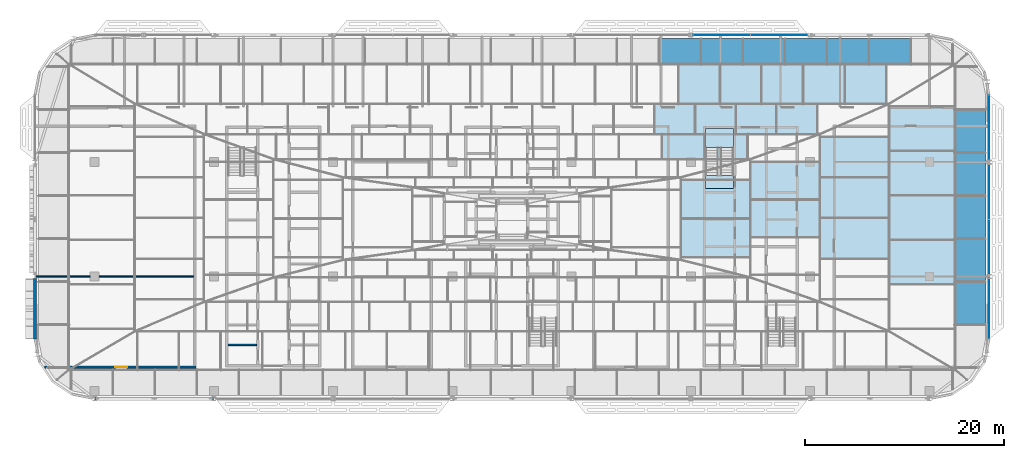
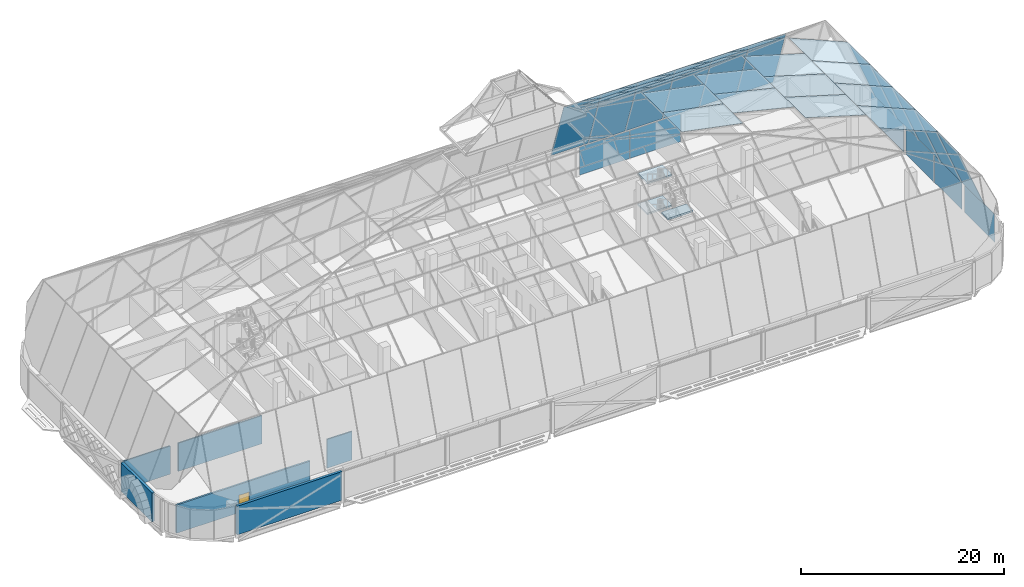
# One storey, part 23 of 39: 39 plates, 6 walls, 3 slabs, 1 door, 1 opening, 14 elements without a shape of their own.
"""IFC4 building model written with IfcOpenShell, lengths in metres."""

from ifc_helpers import new_model, si_unit, direction, frame, frame_2d, origin, origin_2d, place, context, subcontext, project, spatial, polyline, rectangle, outline, extrude, material, layer, layer_set, type_object, element, fill, aggregate, save


model = new_model("IFC4")

# Units and contexts
model_context = context("Model", 3, precision=1e-05, world=origin(), true_north=direction((0.0, 1.0)))
body_context = subcontext(model_context, "Body", "Model", "MODEL_VIEW")
ifc_project = project(units=[si_unit("LENGTHUNIT", "METRE"), si_unit("AREAUNIT", "SQUARE_METRE"), si_unit("VOLUMEUNIT", "CUBIC_METRE"), si_unit("PLANEANGLEUNIT", "RADIAN"), si_unit("MASSUNIT", "GRAM", prefix="KILO")], contexts=[model_context])

# Site, building, storey
site_placement = place(None, origin())
site = spatial("IfcSite", under=ifc_project, at=site_placement, CompositionType="ELEMENT")
building_placement = place(site_placement, origin())
building = spatial("IfcBuilding", under=site, at=building_placement, Name="Mahtab Terrace Research Tower", CompositionType="ELEMENT")
storey_placement = place(building_placement, frame((0.0, 0.0, 282.300048828125)))
storey = spatial("IfcBuildingStorey", under=building, at=storey_placement, Name="L69", CompositionType="ELEMENT", Elevation=282.300048828125)

# Curtain wall, plates
ifc_material_1 = material(Name="Crown faceted glass roof")
curtain_wall_type_1 = type_object("IfcCurtainWallType", Name="Crown faceted glass roof", PredefinedType="NOTDEFINED", material=ifc_material_1)
curtain_wall_1_placement = place(storey_placement, origin())
curtain_wall_1 = element("IfcCurtainWall", 1, at=curtain_wall_1_placement, inside=storey, type_object=curtain_wall_type_1, Name="CROWN.E0", PredefinedType="NOTDEFINED")
ifc_material_2 = material(Name="Dark glazing", Category="glass")
ifc_layer_1 = layer(ifc_material_2, 0.030029296875)
ifc_layer_set_1 = layer_set([ifc_layer_1], Name="Crown faceted glass roof glazing panel")
plate_type_1 = type_object("IfcPlateType", Name="Crown faceted glass roof glazing panel", PredefinedType="CURTAIN_PANEL", material=ifc_layer_set_1)
plate_1_placement = place(storey_placement, frame((47.64990234375, -4.851318359375, 3.800048828125), z_axis=(0.926652359247, 0.0, 0.375919413042), x_axis=(0.0, 1.0, 0.0)))
plate_1 = element("IfcPlate", 2, at=plate_1_placement, type_object=plate_type_1, Name="CWC-E1 panel 3", PredefinedType="CURTAIN_PANEL", context=body_context, shape_type="SweptSolid", body=[
    extrude(outline(polyline([(0.0, 0.0), (4.326416015625, 0.0), (4.326416015625, 7.985629421763448), (0.0, 7.985629421763448), (0.0, 0.0)])), origin(), (0.0, 0.0, -1.0), 0.030029296875),
])
plate_2_placement = place(storey_placement, frame((47.64990234375, -0.52490234375, 3.800048828125), z_axis=(0.926652359247, 0.0, 0.375919413042), x_axis=(0.0, 1.0, 0.0)))
plate_2 = element("IfcPlate", 3, at=plate_2_placement, type_object=plate_type_1, Name="CWC-E1 panel 4", PredefinedType="CURTAIN_PANEL", context=body_context, shape_type="SweptSolid", body=[
    extrude(outline(polyline([(0.0, 0.0), (4.32666015625, 0.0), (4.32666015625, 7.985629421763448), (0.0, 7.985629421763448), (0.0, 0.0)])), origin(), (0.0, 0.0, -1.0), 0.030029296875),
])
plate_3_placement = place(storey_placement, frame((47.64990234375, 3.8017578125, 3.800048828125), z_axis=(0.926652359247, 0.0, 0.375919413042), x_axis=(0.0, 1.0, 0.0)))
plate_3 = element("IfcPlate", 4, at=plate_3_placement, type_object=plate_type_1, Name="CWC-E1 panel 5", PredefinedType="CURTAIN_PANEL", context=body_context, shape_type="SweptSolid", body=[
    extrude(outline(polyline([(0.0, 0.0), (4.32666015625, 0.0), (4.32666015625, 7.985629421763448), (0.0, 7.985629421763448), (0.0, 0.0)])), origin(), (0.0, 0.0, -1.0), 0.030029296875),
])
plate_4_placement = place(storey_placement, frame((47.64990234375, 8.12841796875, 3.800048828125), z_axis=(0.926652359247, 0.0, 0.375919413042), x_axis=(0.0, 1.0, 0.0)))
plate_4 = element("IfcPlate", 5, at=plate_4_placement, type_object=plate_type_1, Name="CWC-E1 panel 6", PredefinedType="CURTAIN_PANEL", context=body_context, shape_type="SweptSolid", body=[
    extrude(outline(polyline([(0.0, 0.0), (4.326416015625, 0.0), (4.326416015625, 7.985629421763448), (0.0, 7.985629421763448), (0.0, 0.0)])), origin(), (0.0, 0.0, -1.0), 0.030029296875),
])
plate_5_placement = place(storey_placement, frame((47.64990234375, 12.454833984375, 3.800048828125), z_axis=(0.926652359247, 0.0, 0.375919413042), x_axis=(0.0, 1.0, 0.0)))
plate_5 = element("IfcPlate", 6, at=plate_5_placement, type_object=plate_type_1, Name="CWC-E1 panel 7", PredefinedType="CURTAIN_PANEL", context=body_context, shape_type="SweptSolid", body=[
    extrude(outline(polyline([(0.0, 0.0), (4.32666015625, 0.0), (4.32666015625, 7.985629421763448), (0.0, 7.985629421763448), (0.0, 0.0)])), origin(), (0.0, 0.0, -1.0), 0.030029296875),
])
aggregate(curtain_wall_1, [plate_1, plate_2, plate_3, plate_4, plate_5])

curtain_wall_2_placement = place(storey_placement, origin())
curtain_wall_2 = element("IfcCurtainWall", 7, at=curtain_wall_2_placement, inside=storey, type_object=curtain_wall_type_1, Name="CROWN.E1", PredefinedType="NOTDEFINED")
plate_6_placement = place(storey_placement, frame((44.64794921875, -0.794921875, 11.199951171875), z_axis=(0.387029381179, 0.0, 0.922067382627), x_axis=(0.0, 1.0, 0.0)))
plate_6 = element("IfcPlate", 8, at=plate_6_placement, type_object=plate_type_1, Name="CWC-E2 panel 3", PredefinedType="CURTAIN_PANEL", context=body_context, shape_type="SweptSolid", body=[
    extrude(outline(polyline([(0.0, 0.0), (4.4697265625, 0.0), (4.4697265625, 7.234719027254903), (0.0, 7.234719027254903), (0.0, 0.0)])), origin(), (0.0, 0.0, -1.0), 0.030029296875),
])
plate_7_placement = place(storey_placement, frame((44.64794921875, 3.6748046875, 11.199951171875), z_axis=(0.387029381179, 0.0, 0.922067382627), x_axis=(0.0, 1.0, 0.0)))
plate_7 = element("IfcPlate", 9, at=plate_7_placement, type_object=plate_type_1, Name="CWC-E2 panel 4", PredefinedType="CURTAIN_PANEL", context=body_context, shape_type="SweptSolid", body=[
    extrude(outline(polyline([(0.0, 0.0), (4.469970703125, 0.0), (4.469970703125, 7.2347190272549025), (0.0, 7.2347190272549025), (0.0, 0.0)])), origin(), (0.0, 0.0, -1.0), 0.030029296875),
])
plate_8_placement = place(storey_placement, frame((44.64794921875, 8.144775390625, 11.199951171875), z_axis=(0.387029381179, 0.0, 0.922067382627), x_axis=(0.0, 1.0, 0.0)))
plate_8 = element("IfcPlate", 10, at=plate_8_placement, type_object=plate_type_1, Name="CWC-E2 panel 5", PredefinedType="CURTAIN_PANEL", context=body_context, shape_type="SweptSolid", body=[
    extrude(outline(polyline([(0.0, 0.0), (4.4697265625, 0.0), (4.4697265625, 7.234719027254903), (0.0, 7.234719027254903), (0.0, 0.0)])), origin(), (0.0, 0.0, -1.0), 0.030029296875),
])
plate_9_placement = place(storey_placement, frame((44.64794921875, 12.614501953125, 11.199951171875), z_axis=(0.387029381179, 0.0, 0.922067382627), x_axis=(0.0, 1.0, 0.0)))
plate_9 = element("IfcPlate", 11, at=plate_9_placement, type_object=plate_type_1, Name="CWC-E2 panel 6", PredefinedType="CURTAIN_PANEL", context=body_context, shape_type="SweptSolid", body=[
    extrude(outline(polyline([(0.0, 0.0), (4.4697265625, 0.0), (4.4697265625, 7.234719027254903), (0.0, 7.234719027254903), (0.0, 0.0)])), origin(), (0.0, 0.0, -1.0), 0.030029296875),
])
aggregate(curtain_wall_2, [plate_6, plate_7, plate_8, plate_9])

curtain_wall_3_placement = place(storey_placement, origin())
curtain_wall_3 = element("IfcCurtainWall", 12, at=curtain_wall_3_placement, inside=storey, type_object=curtain_wall_type_1, Name="CROWN.E2", PredefinedType="NOTDEFINED")
plate_10_placement = place(storey_placement, frame((37.97705078125, 1.780029296875, 14.0), z_axis=(0.288965667694, 0.0, 0.957339460638), x_axis=(0.0, 1.0, 0.0)))
plate_10 = element("IfcPlate", 13, at=plate_10_placement, type_object=plate_type_1, Name="CWC-E3 panel 3", PredefinedType="CURTAIN_PANEL", context=body_context, shape_type="SweptSolid", body=[
    extrude(outline(polyline([(0.0, 0.0), (4.087890625, 0.0), (4.087890625, 7.266792392262823), (0.0, 7.266792392262823), (0.0, 0.0)])), origin(), (0.0, 0.0, -1.0), 0.030029296875),
])
plate_11_placement = place(storey_placement, frame((37.97705078125, 5.867919921875, 14.0), z_axis=(0.288965667694, 0.0, 0.957339460638), x_axis=(0.0, 1.0, 0.0)))
plate_11 = element("IfcPlate", 14, at=plate_11_placement, type_object=plate_type_1, Name="CWC-E3 panel 4", PredefinedType="CURTAIN_PANEL", context=body_context, shape_type="SweptSolid", body=[
    extrude(outline(polyline([(0.0, 0.0), (4.087890625, 0.0), (4.087890625, 7.266792392262823), (0.0, 7.266792392262823), (0.0, 0.0)])), origin(), (0.0, 0.0, -1.0), 0.030029296875),
])
plate_12_placement = place(storey_placement, frame((37.97705078125, 9.955810546875, 14.0), z_axis=(0.288965667694, 0.0, 0.957339460638), x_axis=(0.0, 1.0, 0.0)))
plate_12 = element("IfcPlate", 15, at=plate_12_placement, type_object=plate_type_1, Name="CWC-E3 panel 5", PredefinedType="CURTAIN_PANEL", context=body_context, shape_type="SweptSolid", body=[
    extrude(outline(polyline([(0.0, 0.0), (4.087890625, 0.0), (4.087890625, 7.266792392262823), (0.0, 7.266792392262823), (0.0, 0.0)])), origin(), (0.0, 0.0, -1.0), 0.030029296875),
])
aggregate(curtain_wall_3, [plate_10, plate_11, plate_12])

curtain_wall_4_placement = place(storey_placement, origin())
curtain_wall_4 = element("IfcCurtainWall", 16, at=curtain_wall_4_placement, inside=storey, type_object=curtain_wall_type_1, Name="CROWN.E3", PredefinedType="NOTDEFINED")
plate_13_placement = place(storey_placement, frame((31.020263671875, 3.93994140625, 16.099853515625), z_axis=(0.235875329175, 0.0, 0.971783324145), x_axis=(0.0, 1.0, 0.0)))
plate_13 = element("IfcPlate", 17, at=plate_13_placement, type_object=plate_type_1, Name="CWC-E4 panel 3", PredefinedType="CURTAIN_PANEL", context=body_context, shape_type="SweptSolid", body=[
    extrude(outline(polyline([(0.0, 0.0), (3.78662109375, 0.0), (3.78662109375, 7.208025181988041), (0.0, 7.208025181988041), (0.0, 0.0)])), origin(), (0.0, 0.0, -1.0), 0.030029296875),
])
plate_14_placement = place(storey_placement, frame((31.020263671875, 7.7265625, 16.099853515625), z_axis=(0.235875329175, 0.0, 0.971783324145), x_axis=(0.0, 1.0, 0.0)))
plate_14 = element("IfcPlate", 18, at=plate_14_placement, type_object=plate_type_1, Name="CWC-E4 panel 4", PredefinedType="CURTAIN_PANEL", context=body_context, shape_type="SweptSolid", body=[
    extrude(outline(polyline([(0.0, 0.0), (3.786376953125, 0.0), (3.786376953125, 7.208025181988041), (0.0, 7.208025181988041), (0.0, 0.0)])), origin(), (0.0, 0.0, -1.0), 0.030029296875),
])
aggregate(curtain_wall_4, [plate_13, plate_14])

curtain_wall_5_placement = place(storey_placement, origin())
curtain_wall_5 = element("IfcCurtainWall", 19, at=curtain_wall_5_placement, inside=storey, type_object=curtain_wall_type_1, Name="CROWN.E4", PredefinedType="NOTDEFINED")
plate_15_placement = place(storey_placement, frame((24.015625, 1.92431640625, 17.800048828125), z_axis=(0.195978105633, 0.0, 0.980608271489), x_axis=(0.0, 1.0, 0.0)))
plate_15 = element("IfcPlate", 20, at=plate_15_placement, type_object=plate_type_1, Name="CWC-E5 panel 2", PredefinedType="CURTAIN_PANEL", context=body_context, shape_type="SweptSolid", body=[
    extrude(outline(polyline([(0.0, 0.0), (3.884033203125, 0.0), (3.884033203125, 7.143156829831157), (0.0, 7.143156829831157), (0.0, 0.0)])), origin(), (0.0, 0.0, -1.0), 0.030029296875),
])
plate_16_placement = place(storey_placement, frame((24.015625, 5.808349609375, 17.800048828125), z_axis=(0.195978105633, 0.0, 0.980608271489), x_axis=(0.0, 1.0, 0.0)))
plate_16 = element("IfcPlate", 21, at=plate_16_placement, type_object=plate_type_1, Name="CWC-E5 panel 3", PredefinedType="CURTAIN_PANEL", context=body_context, shape_type="SweptSolid", body=[
    extrude(outline(polyline([(0.0, 0.0), (3.8837890625, 0.0), (3.8837890625, 7.143156829831158), (0.0, 7.143156829831158), (0.0, 0.0)])), origin(), (0.0, 0.0, -1.0), 0.030029296875),
])
aggregate(curtain_wall_5, [plate_15, plate_16])

curtain_wall_6_placement = place(storey_placement, origin())
curtain_wall_6 = element("IfcCurtainWall", 22, at=curtain_wall_6_placement, inside=storey, type_object=curtain_wall_type_1, Name="CROWN.N0", PredefinedType="NOTDEFINED")
plate_17_placement = place(storey_placement, frame((19.00634765625, 21.407958984375, 11.199951171875), z_axis=(0.0, 0.945476028817, 0.325691693067), x_axis=(0.0, 0.325691693067, -0.945476028817)))
plate_17 = element("IfcPlate", 23, at=plate_17_placement, type_object=plate_type_1, Name="CWC-N1 panel 16", PredefinedType="CURTAIN_PANEL", context=body_context, shape_type="SweptSolid", body=[
    extrude(outline(polyline([(0.0, 0.0), (7.826641943542283, 0.0), (7.826641943542283, 4.2236328125), (0.0, 4.2236328125), (0.0, 0.0)])), origin(), (0.0, 0.0, -1.0), 0.030029296875),
])
plate_18_placement = place(storey_placement, frame((23.22998046875, 21.407958984375, 11.199951171875), z_axis=(0.0, 0.945476028817, 0.325691693067), x_axis=(0.0, 0.325691693067, -0.945476028817)))
plate_18 = element("IfcPlate", 24, at=plate_18_placement, type_object=plate_type_1, Name="CWC-N1 panel 17", PredefinedType="CURTAIN_PANEL", context=body_context, shape_type="SweptSolid", body=[
    extrude(outline(polyline([(0.0, 0.0), (7.826641943542283, 0.0), (7.826641943542283, 4.2236328125), (0.0, 4.2236328125), (0.0, 0.0)])), origin(), (0.0, 0.0, -1.0), 0.030029296875),
])
plate_19_placement = place(storey_placement, frame((27.45361328125, 21.407958984375, 11.199951171875), z_axis=(0.0, 0.945476028817, 0.325691693067), x_axis=(0.0, 0.325691693067, -0.945476028817)))
plate_19 = element("IfcPlate", 25, at=plate_19_placement, type_object=plate_type_1, Name="CWC-N1 panel 18", PredefinedType="CURTAIN_PANEL", context=body_context, shape_type="SweptSolid", body=[
    extrude(outline(polyline([(0.0, 0.0), (7.826641943542283, 0.0), (7.826641943542283, 4.2236328125), (0.0, 4.2236328125), (0.0, 0.0)])), origin(), (0.0, 0.0, -1.0), 0.030029296875),
])
plate_20_placement = place(storey_placement, frame((31.67724609375, 21.407958984375, 11.199951171875), z_axis=(0.0, 0.945476028817, 0.325691693067), x_axis=(0.0, 0.325691693067, -0.945476028817)))
plate_20 = element("IfcPlate", 26, at=plate_20_placement, type_object=plate_type_1, Name="CWC-N1 panel 19", PredefinedType="CURTAIN_PANEL", context=body_context, shape_type="SweptSolid", body=[
    extrude(outline(polyline([(0.0, 0.0), (7.826641943542283, 0.0), (7.826641943542283, 4.2236328125), (0.0, 4.2236328125), (0.0, 0.0)])), origin(), (0.0, 0.0, -1.0), 0.030029296875),
])
plate_21_placement = place(storey_placement, frame((35.90087890625, 21.407958984375, 11.199951171875), z_axis=(0.0, 0.945476028817, 0.325691693067), x_axis=(0.0, 0.325691693067, -0.945476028817)))
plate_21 = element("IfcPlate", 27, at=plate_21_placement, type_object=plate_type_1, Name="CWC-N1 panel 20", PredefinedType="CURTAIN_PANEL", context=body_context, shape_type="SweptSolid", body=[
    extrude(outline(polyline([(0.0, 0.0), (7.826641943542283, 0.0), (7.826641943542283, 4.2236328125), (0.0, 4.2236328125), (0.0, 0.0)])), origin(), (0.0, 0.0, -1.0), 0.030029296875),
])
plate_22_placement = place(storey_placement, frame((40.12451171875, 21.407958984375, 11.199951171875), z_axis=(0.0, 0.945476028817, 0.325691693067), x_axis=(0.0, 0.325691693067, -0.945476028817)))
plate_22 = element("IfcPlate", 28, at=plate_22_placement, type_object=plate_type_1, Name="CWC-N1 panel 21", PredefinedType="CURTAIN_PANEL", context=body_context, shape_type="SweptSolid", body=[
    extrude(outline(polyline([(0.0, 0.0), (7.826641943542283, 0.0), (7.826641943542283, 4.2236328125), (0.0, 4.2236328125), (0.0, 0.0)])), origin(), (0.0, 0.0, -1.0), 0.030029296875),
])
aggregate(curtain_wall_6, [plate_17, plate_18, plate_19, plate_20, plate_21, plate_22])

curtain_wall_7_placement = place(storey_placement, origin())
curtain_wall_7 = element("IfcCurtainWall", 29, at=curtain_wall_7_placement, inside=storey, type_object=curtain_wall_type_1, Name="CROWN.N1", PredefinedType="NOTDEFINED")
plate_23_placement = place(storey_placement, frame((20.931640625, 17.38427734375, 14.0), z_axis=(0.0, 0.571197269128, 0.820812816506), x_axis=(0.0, 0.820812816506, -0.571197269128)))
plate_23 = element("IfcPlate", 30, at=plate_23_placement, type_object=plate_type_1, Name="CWC-N2 panel 15", PredefinedType="CURTAIN_PANEL", context=body_context, shape_type="SweptSolid", body=[
    extrude(outline(polyline([(0.0, 0.0), (4.902069704215443, 0.0), (4.902069704215443, 4.186279296875001), (0.0, 4.186279296875001), (0.0, 0.0)])), origin(), (0.0, 0.0, -1.0), 0.030029296875),
])
plate_24_placement = place(storey_placement, frame((25.117919921875, 17.38427734375, 14.0), z_axis=(0.0, 0.571197269128, 0.820812816506), x_axis=(0.0, 0.820812816506, -0.571197269128)))
plate_24 = element("IfcPlate", 31, at=plate_24_placement, type_object=plate_type_1, Name="CWC-N2 panel 16", PredefinedType="CURTAIN_PANEL", context=body_context, shape_type="SweptSolid", body=[
    extrude(outline(polyline([(0.0, 0.0), (4.902069704215443, 0.0), (4.902069704215443, 4.186279296875001), (0.0, 4.186279296875001), (0.0, 0.0)])), origin(), (0.0, 0.0, -1.0), 0.030029296875),
])
plate_25_placement = place(storey_placement, frame((29.304443359375, 17.38427734375, 14.0), z_axis=(0.0, 0.571197269128, 0.820812816506), x_axis=(0.0, 0.820812816506, -0.571197269128)))
plate_25 = element("IfcPlate", 32, at=plate_25_placement, type_object=plate_type_1, Name="CWC-N2 panel 17", PredefinedType="CURTAIN_PANEL", context=body_context, shape_type="SweptSolid", body=[
    extrude(outline(polyline([(0.0, 0.0), (4.902069704215443, 0.0), (4.902069704215443, 4.186523437500001), (0.0, 4.186523437500001), (0.0, 0.0)])), origin(), (0.0, 0.0, -1.0), 0.030029296875),
])
plate_26_placement = place(storey_placement, frame((33.49072265625, 17.38427734375, 14.0), z_axis=(0.0, 0.571197269128, 0.820812816506), x_axis=(0.0, 0.820812816506, -0.571197269128)))
plate_26 = element("IfcPlate", 33, at=plate_26_placement, type_object=plate_type_1, Name="CWC-N2 panel 18", PredefinedType="CURTAIN_PANEL", context=body_context, shape_type="SweptSolid", body=[
    extrude(outline(polyline([(0.0, 0.0), (4.902069704215443, 0.0), (4.902069704215443, 4.186279296875001), (0.0, 4.186279296875001), (0.0, 0.0)])), origin(), (0.0, 0.0, -1.0), 0.030029296875),
])
plate_27_placement = place(storey_placement, frame((37.677001953125, 17.38427734375, 14.0), z_axis=(0.0, 0.571197269128, 0.820812816506), x_axis=(0.0, 0.820812816506, -0.571197269128)))
plate_27 = element("IfcPlate", 34, at=plate_27_placement, type_object=plate_type_1, Name="CWC-N2 panel 19", PredefinedType="CURTAIN_PANEL", context=body_context, shape_type="SweptSolid", body=[
    extrude(outline(polyline([(0.0, 0.0), (4.902069704215443, 0.0), (4.902069704215443, 4.186279296875001), (0.0, 4.186279296875001), (0.0, 0.0)])), origin(), (0.0, 0.0, -1.0), 0.030029296875),
])
aggregate(curtain_wall_7, [plate_23, plate_24, plate_25, plate_26, plate_27])

curtain_wall_8_placement = place(storey_placement, origin())
curtain_wall_8 = element("IfcCurtainWall", 35, at=curtain_wall_8_placement, inside=storey, type_object=curtain_wall_type_1, Name="CROWN.N2", PredefinedType="NOTDEFINED")
plate_28_placement = place(storey_placement, frame((18.43212890625, 14.34375, 16.099853515625), z_axis=(0.0, 0.568271672789, 0.822840996734), x_axis=(0.0, 0.822840996734, -0.568271672789)))
plate_28 = element("IfcPlate", 36, at=plate_28_placement, type_object=plate_type_1, Name="CWC-N3 panel 13", PredefinedType="CURTAIN_PANEL", context=body_context, shape_type="SweptSolid", body=[
    extrude(outline(polyline([(0.0, 0.0), (3.695157820063184, 0.0), (3.695157820063184, 4.095947265625), (0.0, 4.095947265625), (0.0, 0.0)])), origin(), (0.0, 0.0, -1.0), 0.030029296875),
])
plate_29_placement = place(storey_placement, frame((22.528076171875, 14.34375, 16.099853515625), z_axis=(0.0, 0.568271672789, 0.822840996734), x_axis=(0.0, 0.822840996734, -0.568271672789)))
plate_29 = element("IfcPlate", 37, at=plate_29_placement, type_object=plate_type_1, Name="CWC-N3 panel 14", PredefinedType="CURTAIN_PANEL", context=body_context, shape_type="SweptSolid", body=[
    extrude(outline(polyline([(0.0, 0.0), (3.695157820063184, 0.0), (3.695157820063184, 4.095947265625), (0.0, 4.095947265625), (0.0, 0.0)])), origin(), (0.0, 0.0, -1.0), 0.030029296875),
])
plate_30_placement = place(storey_placement, frame((26.6240234375, 14.34375, 16.099853515625), z_axis=(0.0, 0.568271672789, 0.822840996734), x_axis=(0.0, 0.822840996734, -0.568271672789)))
plate_30 = element("IfcPlate", 38, at=plate_30_placement, type_object=plate_type_1, Name="CWC-N3 panel 15", PredefinedType="CURTAIN_PANEL", context=body_context, shape_type="SweptSolid", body=[
    extrude(outline(polyline([(0.0, 0.0), (3.695157820063184, 0.0), (3.695157820063184, 4.095947265625), (0.0, 4.095947265625), (0.0, 0.0)])), origin(), (0.0, 0.0, -1.0), 0.030029296875),
])
plate_31_placement = place(storey_placement, frame((30.72021484375, 14.34375, 16.099853515625), z_axis=(0.0, 0.568271672789, 0.822840996734), x_axis=(0.0, 0.822840996734, -0.568271672789)))
plate_31 = element("IfcPlate", 39, at=plate_31_placement, type_object=plate_type_1, Name="CWC-N3 panel 16", PredefinedType="CURTAIN_PANEL", context=body_context, shape_type="SweptSolid", body=[
    extrude(outline(polyline([(0.0, 0.0), (3.695157820063184, 0.0), (3.695157820063184, 4.096191406250001), (0.0, 4.096191406250001), (0.0, 0.0)])), origin(), (0.0, 0.0, -1.0), 0.030029296875),
])
aggregate(curtain_wall_8, [plate_28, plate_29, plate_30, plate_31])

curtain_wall_9_placement = place(storey_placement, origin())
curtain_wall_9 = element("IfcCurtainWall", 40, at=curtain_wall_9_placement, inside=storey, type_object=curtain_wall_type_1, Name="CROWN.N3", PredefinedType="NOTDEFINED")
plate_32_placement = place(storey_placement, frame((19.40380859375, 11.81298828125, 17.800048828125), z_axis=(0.0, 0.557653368121, 0.830073925035), x_axis=(0.0, 0.830073925035, -0.557653368121)))
plate_32 = element("IfcPlate", 41, at=plate_32_placement, type_object=plate_type_1, Name="CWC-N4 panel 11", PredefinedType="CURTAIN_PANEL", context=body_context, shape_type="SweptSolid", body=[
    extrude(outline(polyline([(0.0, 0.0), (3.048838955690744, 0.0), (3.048838955690744, 4.31201171875), (0.0, 4.31201171875), (0.0, 0.0)])), origin(), (0.0, 0.0, -1.0), 0.030029296875),
])
plate_33_placement = place(storey_placement, frame((23.715576171875, 11.81298828125, 17.800048828125), z_axis=(0.0, 0.557653368121, 0.830073925035), x_axis=(0.0, 0.830073925035, -0.557653368121)))
plate_33 = element("IfcPlate", 42, at=plate_33_placement, type_object=plate_type_1, Name="CWC-N4 panel 12", PredefinedType="CURTAIN_PANEL", context=body_context, shape_type="SweptSolid", body=[
    extrude(outline(polyline([(0.0, 0.0), (3.048838955690744, 0.0), (3.048838955690744, 4.311767578125001), (0.0, 4.311767578125001), (0.0, 0.0)])), origin(), (0.0, 0.0, -1.0), 0.030029296875),
])
aggregate(curtain_wall_9, [plate_32, plate_33])

# Stair, slabs
ifc_material_3 = material(Name="Exit stair half-turn")
stair_type = type_object("IfcStairType", Name="Exit stair half-turn", PredefinedType="HALF_TURN_STAIR", material=ifc_material_3)
stair_placement = place(storey_placement, origin())
stair = element("IfcStair", 43, at=stair_placement, inside=storey, type_object=stair_type, Name="L69 Protected exit stair ST3", PredefinedType="HALF_TURN_STAIR")
ifc_material_4 = material(Name="Concrete C40/50", Category="concrete")
ifc_layer_2 = layer(ifc_material_4, 0.199951171875)
ifc_layer_set_2 = layer_set([ifc_layer_2], Name="Exit stair landing 200")
slab_type = type_object("IfcSlabType", Name="Exit stair landing 200", PredefinedType="LANDING", material=ifc_layer_set_2)
slab_1_placement = place(storey_placement, frame((0.0, 0.0, 1.64990234375)))
slab_1 = element("IfcSlab", 44, at=slab_1_placement, type_object=slab_type, Name="ST3 landing 1", PredefinedType="LANDING", context=body_context, shape_type="SweptSolid", body=[
    extrude(outline(polyline([(22.300048828125, 12.97509765625), (22.300048828125, 14.875), (19.449951171875, 14.875), (19.449951171875, 12.97509765625), (22.300048828125, 12.97509765625)])), origin(), (0.0, 0.0, 1.0), 0.199951171875),
])
slab_2_placement = place(storey_placement, frame((0.0, 0.0, 3.5)))
slab_2 = element("IfcSlab", 45, at=slab_2_placement, type_object=slab_type, Name="ST3 landing 2", PredefinedType="LANDING", context=body_context, shape_type="SweptSolid", body=[
    extrude(outline(polyline([(22.300048828125, 8.875), (22.300048828125, 10.175048828125), (19.449951171875, 10.175048828125), (19.449951171875, 8.875), (22.300048828125, 8.875)])), origin(), (0.0, 0.0, 1.0), 0.199951171875),
])
slab_3_placement = place(storey_placement, frame((0.0, 0.0, 5.349853515625)))
slab_3 = element("IfcSlab", 46, at=slab_3_placement, type_object=slab_type, Name="ST3 landing 3", PredefinedType="LANDING", context=body_context, shape_type="SweptSolid", body=[
    extrude(outline(polyline([(22.300048828125, 12.97509765625), (22.300048828125, 14.875), (19.449951171875, 14.875), (19.449951171875, 12.97509765625), (22.300048828125, 12.97509765625)])), origin(), (0.0, 0.0, 1.0), 0.2001953125),
])
aggregate(stair, [slab_1, slab_2, slab_3])

# Curtain wall, plates
ifc_material_5 = material(Name="Office ribbon curtain wall")
curtain_wall_type_2 = type_object("IfcCurtainWallType", Name="Office ribbon curtain wall", PredefinedType="NOTDEFINED", material=ifc_material_5)
curtain_wall_10_placement = place(storey_placement, origin())
curtain_wall_10 = element("IfcCurtainWall", 47, at=curtain_wall_10_placement, inside=storey, type_object=curtain_wall_type_2, Name="EN.L69.3.4", PredefinedType="NOTDEFINED")
ifc_layer_3 = layer(ifc_material_2, 0.030029296875)
ifc_layer_set_3 = layer_set([ifc_layer_3], Name="Office ribbon curtain wall glazing panel")
plate_type_2 = type_object("IfcPlateType", Name="Office ribbon curtain wall glazing panel", PredefinedType="CURTAIN_PANEL", material=ifc_layer_set_3)
plate_34_placement = place(storey_placement, frame((26.89111328125, 24.306884765625, 0.0), z_axis=(0.0, 0.0, 1.0), x_axis=(-1.0, 0.0, 0.0)))
plate_34 = element("IfcPlate", 48, at=plate_34_placement, type_object=plate_type_2, Name="CWO-8 panel 1", PredefinedType="CURTAIN_PANEL", context=body_context, shape_type="SweptSolid", body=[
    extrude(rectangle(XDim=5.721923828125, YDim=0.030029296875, at=origin_2d()), origin(), (0.0, 0.0, 1.0), 3.360107421875),
])
plate_35_placement = place(storey_placement, frame((21.10888671875, 24.306884765625, 0.0), z_axis=(0.0, 0.0, 1.0), x_axis=(-1.0, 0.0, 0.0)))
plate_35 = element("IfcPlate", 49, at=plate_35_placement, type_object=plate_type_2, Name="CWO-8 panel 2", PredefinedType="CURTAIN_PANEL", context=body_context, shape_type="SweptSolid", body=[
    extrude(rectangle(XDim=5.721923828125, YDim=0.030029296875, at=origin_2d()), origin(), (0.0, 0.0, 1.0), 3.360107421875),
])
aggregate(curtain_wall_10, [plate_34, plate_35])

# Curtain wall, plate
curtain_wall_11_placement = place(storey_placement, origin())
curtain_wall_11 = element("IfcCurtainWall", 50, at=curtain_wall_11_placement, inside=storey, type_object=curtain_wall_type_2, Name="EN.L69.18.35", PredefinedType="NOTDEFINED")
plate_36_placement = place(storey_placement, frame((48.0, -3.24755859375, 0.0), z_axis=(0.0, 0.0, 1.0), x_axis=(0.0, 1.0, 0.0)))
plate_36 = element("IfcPlate", 51, at=plate_36_placement, type_object=plate_type_2, Name="CWO-8 panel 1", PredefinedType="CURTAIN_PANEL", context=body_context, shape_type="SweptSolid", body=[
    extrude(rectangle(XDim=5.9990234375, YDim=0.030029296875, at=origin_2d()), origin(), (0.0, 0.0, 1.0), 3.360107421875),
])
aggregate(curtain_wall_11, [plate_36])

# Curtain wall, plates
curtain_wall_12_placement = place(storey_placement, origin())
curtain_wall_12 = element("IfcCurtainWall", 52, at=curtain_wall_12_placement, inside=storey, type_object=curtain_wall_type_2, Name="EN.L69.18.36", PredefinedType="NOTDEFINED")
plate_37_placement = place(storey_placement, frame((48.0, 2.98388671875, 0.0), z_axis=(0.0, 0.0, 1.0), x_axis=(0.0, 1.0, 0.0)))
plate_37 = element("IfcPlate", 53, at=plate_37_placement, type_object=plate_type_2, Name="CWO-8 panel 1", PredefinedType="CURTAIN_PANEL", context=body_context, shape_type="SweptSolid", body=[
    extrude(rectangle(XDim=5.471923828125, YDim=0.030029296875, at=origin_2d()), origin(), (0.0, 0.0, 1.0), 3.360107421875),
])
plate_38_placement = place(storey_placement, frame((48.0, 8.51611328125, 0.0), z_axis=(0.0, 0.0, 1.0), x_axis=(0.0, 1.0, 0.0)))
plate_38 = element("IfcPlate", 54, at=plate_38_placement, type_object=plate_type_2, Name="CWO-8 panel 2", PredefinedType="CURTAIN_PANEL", context=body_context, shape_type="SweptSolid", body=[
    extrude(rectangle(XDim=5.471923828125, YDim=0.030029296875, at=origin_2d()), origin(), (0.0, 0.0, 1.0), 3.360107421875),
])
aggregate(curtain_wall_12, [plate_37, plate_38])

# Curtain wall, plate
curtain_wall_13_placement = place(storey_placement, origin())
curtain_wall_13 = element("IfcCurtainWall", 55, at=curtain_wall_13_placement, inside=storey, type_object=curtain_wall_type_2, Name="EN.L69.18.37", PredefinedType="NOTDEFINED")
plate_39_placement = place(storey_placement, frame((48.0, 14.99755859375, 0.0), z_axis=(0.0, 0.0, 1.0), x_axis=(0.0, 1.0, 0.0)))
plate_39 = element("IfcPlate", 56, at=plate_39_placement, type_object=plate_type_2, Name="CWO-8 panel 1", PredefinedType="CURTAIN_PANEL", context=body_context, shape_type="SweptSolid", body=[
    extrude(rectangle(XDim=6.4990234375, YDim=0.030029296875, at=origin_2d()), origin(), (0.0, 0.0, 1.0), 3.360107421875),
])
aggregate(curtain_wall_13, [plate_39])

# Walls
ifc_material_6 = material(Name="Gypsum board partition")
ifc_layer_4 = layer(ifc_material_6, 0.14990234375)
ifc_layer_set_4 = layer_set([ifc_layer_4], Name="Core partition 150")
wall_type_1 = type_object("IfcWallType", Name="Core partition 150", PredefinedType="PARTITIONING", material=ifc_layer_set_4)
wall_1_placement = place(storey_placement, frame((-28.550048828125, -6.875, 0.0), z_axis=(0.0, 0.0, 1.0), x_axis=(1.0, 0.0, 0.0)))
element("IfcWall", 57, at=wall_1_placement, inside=storey, type_object=wall_type_1, Name="Core wall A pWS-988", PredefinedType="PARTITIONING", context=body_context, shape_type="SweptSolid", body=[
    extrude(rectangle(XDim=2.85009765625, YDim=0.14990234375, at=frame_2d((1.425048828125, 0.0))), origin(), (0.0, 0.0, 1.0), 3.4599609375),
])
ifc_material_7 = material(Name="Black aluminium cladding panel", Category="aluminium")
ifc_layer_5 = layer(ifc_material_7, 0.300048828125)
ifc_layer_set_5 = layer_set([ifc_layer_5], Name="Opaque facade wall 300")
wall_type_2 = type_object("IfcWallType", Name="Opaque facade wall 300", PredefinedType="NOTDEFINED", material=ifc_layer_set_5)
wall_2_placement = place(storey_placement, frame((-48.0, -0.18798828125, 0.0), z_axis=(0.0, 0.0, 1.0), x_axis=(0.0, -1.0, 0.0)))
element("IfcWall", 58, at=wall_2_placement, inside=storey, type_object=wall_type_2, Name="Opaque facade wall L69 W17", PredefinedType="NOTDEFINED", context=body_context, shape_type="SweptSolid", body=[
    extrude(rectangle(XDim=6.118896484375, YDim=0.300048828125, at=frame_2d((3.0595703125, 0.0))), origin(), (0.0, 0.0, 1.0), 3.4599609375),
])
wall_3_placement = place(storey_placement, frame((-41.991455078125, -12.306884765625, 0.0), z_axis=(0.0, 0.0, 1.0), x_axis=(1.0, 0.0, 0.0)))
element("IfcWall", 59, at=wall_3_placement, inside=storey, type_object=wall_type_2, Name="Opaque facade wall L69 S23", PredefinedType="NOTDEFINED", context=body_context, shape_type="SweptSolid", body=[
    extrude(rectangle(XDim=11.98291015625, YDim=0.300048828125, at=frame_2d((5.991455078125, 0.0))), origin(), (0.0, 0.0, 1.0), 3.4599609375),
])

# Wall, opening, door
ifc_material_8 = material(Name="Gypsum board corridor wall on steel studs", Category="steel")
ifc_layer_6 = layer(ifc_material_8, 0.199951171875)
ifc_layer_set_6 = layer_set([ifc_layer_6], Name="WALL CORRIDOR 200")
wall_type_3 = type_object("IfcWallType", Name="WALL CORRIDOR 200", PredefinedType="PARTITIONING", material=ifc_layer_set_6)
wall_4_placement = place(storey_placement, frame((-47.01416015625, -9.125, 0.0), z_axis=(0.0, 0.0, 1.0), x_axis=(1.0, 0.0, 0.0)))
wall_4 = element("IfcWall", 60, at=wall_4_placement, inside=storey, type_object=wall_type_3, Name="L69-W001", PredefinedType="PARTITIONING", context=body_context, shape_type="SweptSolid", body=[
    extrude(rectangle(XDim=15.214111328125, YDim=0.199951171875, at=frame_2d((7.60693359375, 0.0))), origin(), (0.0, 0.0, 1.0), 3.39990234375),
])
opening_placement = place(wall_4_placement, frame((7.10009765625, 0.0, 0.0)))
opening = element("IfcOpeningElement", 61, at=opening_placement, cuts=wall_4, Name="Opening L69-101", PredefinedType="OPENING", context=body_context, shape_type="SweptSolid", body=[
    extrude(rectangle(XDim=1.199951171875, YDim=2.10009765625, at=frame_2d((0.60009765625, 1.050048828125))), frame((0.0, 0.10986328125, 0.0), z_axis=(0.0, -1.0, 0.0), x_axis=(1.0, 0.0, 0.0)), (0.0, 0.0, 1.0), 0.219970703125),
])
ifc_material_9 = material(Name="Timber door leaf in steel frame", Category="steel")
door_type = type_object("IfcDoorType", Name="DOOR 1200X2100 FD30S", OperationType="SINGLE_SWING_LEFT", PredefinedType="DOOR", material=ifc_material_9)
door_placement = place(opening_placement, origin())
door = element("IfcDoor", 62, at=door_placement, inside=storey, type_object=door_type, Name="Door L69-101", OperationType="SINGLE_SWING_RIGHT", OverallHeight=2.10009765625, OverallWidth=1.199951171875, PredefinedType="DOOR", context=body_context, shape_type="SweptSolid", body=[
    extrude(rectangle(XDim=1.199951171875, YDim=2.10009765625, at=frame_2d((0.60009765625, 1.050048828125))), frame((0.0, 0.02490234375, 0.0), z_axis=(0.0, -1.0, 0.0), x_axis=(1.0, 0.0, 0.0)), (0.0, 0.0, 1.0), 0.050048828125),
])
fill(opening, door)

# Walls
ifc_material_10 = material(Name="Gypsum board partition on steel studs", Category="steel")
ifc_layer_7 = layer(ifc_material_10, 0.14990234375)
ifc_layer_set_7 = layer_set([ifc_layer_7], Name="WALL PARTITION 150")
wall_type_4 = type_object("IfcWallType", Name="WALL PARTITION 150", PredefinedType="PARTITIONING", material=ifc_layer_set_7)
wall_5_placement = place(storey_placement, frame((-47.85009765625, 0.0, 0.0), z_axis=(0.0, 0.0, 1.0), x_axis=(1.0, 0.0, 0.0)))
element("IfcWall", 63, at=wall_5_placement, inside=storey, type_object=wall_type_4, Name="L69-W005", PredefinedType="PARTITIONING", context=body_context, shape_type="SweptSolid", body=[
    extrude(rectangle(XDim=5.400146484375, YDim=0.14990234375, at=frame_2d((2.7001953125, 0.0))), origin(), (0.0, 0.0, 1.0), 3.39990234375),
])
wall_6_placement = place(storey_placement, frame((-41.550048828125, 0.0, 0.0), z_axis=(0.0, 0.0, 1.0), x_axis=(1.0, 0.0, 0.0)))
element("IfcWall", 64, at=wall_6_placement, inside=storey, type_object=wall_type_4, Name="L69-W006", PredefinedType="PARTITIONING", context=body_context, shape_type="SweptSolid", body=[
    extrude(rectangle(XDim=9.550048828125, YDim=0.14990234375, at=frame_2d((4.77490234375, 0.0))), origin(), (0.0, 0.0, 1.0), 3.39990234375),
])

save(model, "model.ifc")
